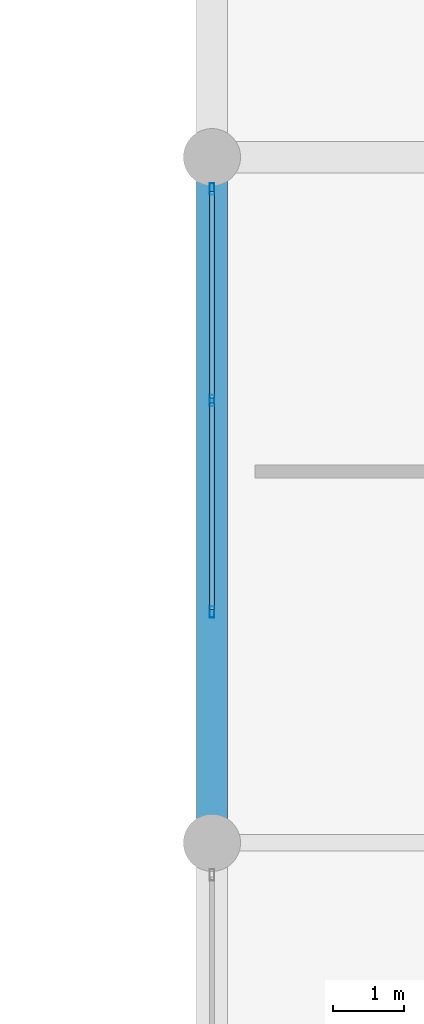
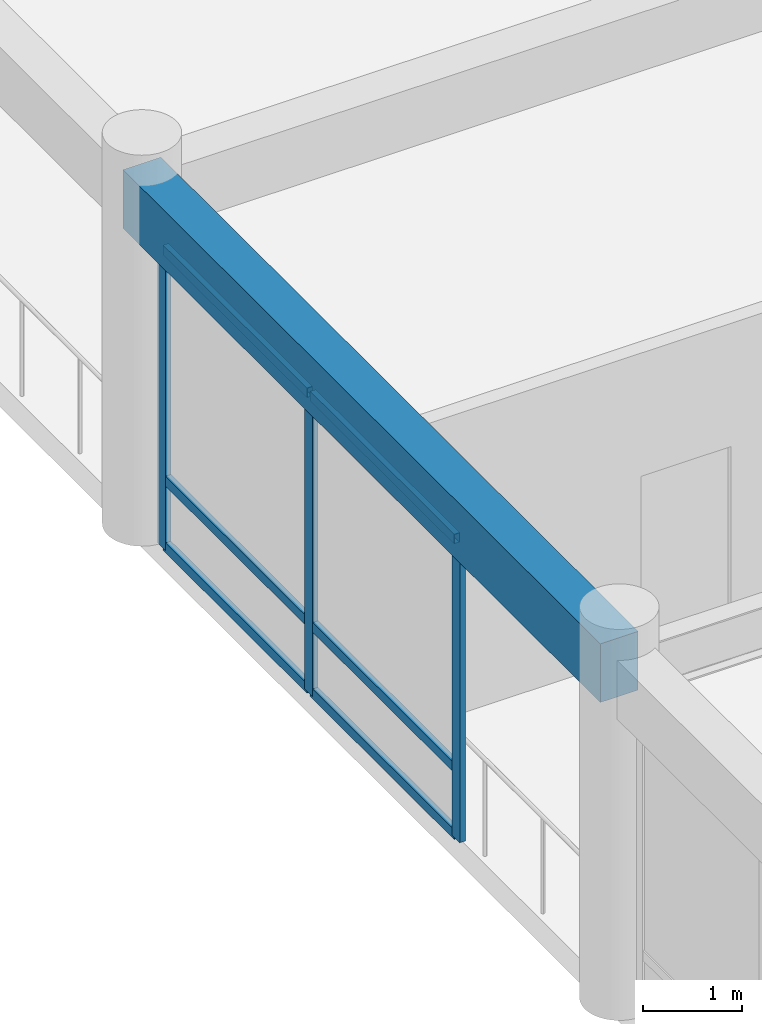
# One storey, part 41 of 133: 9 members, 1 beam, 1 element without a shape of its own.
"""IFC4 building model written with IfcOpenShell, lengths in metres."""

from ifc_helpers import new_model, si_unit, direction, frame, origin, origin_2d, place, context, subcontext, project, spatial, rectangle, hollow_rectangle, extrude, material, layer, layer_set, material_profile, profile_set, type_object, element, aggregate, save


model = new_model("IFC4")

# Units and contexts
model_context = context("Model", 3, precision=1e-05, world=origin(), true_north=direction((0.0, 1.0)))
body_context = subcontext(model_context, "Body", "Model", "MODEL_VIEW")
ifc_project = project(units=[si_unit("LENGTHUNIT", "METRE"), si_unit("AREAUNIT", "SQUARE_METRE"), si_unit("VOLUMEUNIT", "CUBIC_METRE"), si_unit("PLANEANGLEUNIT", "RADIAN"), si_unit("MASSUNIT", "GRAM", prefix="KILO")], contexts=[model_context])

# Site, building, storey
site_placement = place(None, origin())
site = spatial("IfcSite", under=ifc_project, at=site_placement, CompositionType="ELEMENT")
building_placement = place(site_placement, origin())
building = spatial("IfcBuilding", under=site, at=building_placement, Name="Nakhvara Creek Congress Hotel", CompositionType="ELEMENT")
storey_placement = place(building_placement, frame((0.0, 0.0, 11.39990234375)))
storey = spatial("IfcBuildingStorey", under=building, at=storey_placement, Name="L02", CompositionType="ELEMENT", Elevation=11.39990234375)

# Beam
ifc_material_1 = material(Name="Concrete C40/50", Category="concrete")
ifc_material_profile_1 = material_profile(ifc_material_1, rectangle(XDim=0.43994140625, YDim=0.719970703125, at=origin_2d()), Name="RC-BM 440x720", Category="LoadBearing")
ifc_profile_set_1 = profile_set([ifc_material_profile_1], Name="Concrete C40/50")
beam_type = type_object("IfcBeamType", Name="BM-RC-440X720", PredefinedType="BEAM", material=ifc_profile_set_1)
beam_placement = place(storey_placement, frame((124.800048828125, 62.39990234375, 4.06005859375), z_axis=(0.0, 1.0, 0.0), x_axis=(-1.0, 0.0, 0.0)))
element("IfcBeam", 1, at=beam_placement, inside=storey, type_object=beam_type, Name="Beam B12-L02-1532", PredefinedType="BEAM", context=body_context, shape_type="SweptSolid", body=[
    extrude(rectangle(XDim=0.43994140625, YDim=0.719970703125, at=origin_2d()), origin(), (0.0, 0.0, 1.0), 9.60009765625),
])

# Curtain wall, members
ifc_material_2 = material(Name="Bronze-anodised aluminium AW-6063-T6 and double-silver low-E glass", Category="aluminium")
ifc_layer = layer(ifc_material_2, 0.199951171875)
ifc_layer_set = layer_set([ifc_layer], Name="Bronze-anodised aluminium AW-6063-T6 and double-silver low-E glass")
curtain_wall_type = type_object("IfcCurtainWallType", Name="CW-POD-STICK", PredefinedType="NOTDEFINED", material=ifc_layer_set)
curtain_wall_placement = place(storey_placement, origin())
curtain_wall = element("IfcCurtainWall", 2, at=curtain_wall_placement, inside=storey, type_object=curtain_wall_type, Name="Curtain Wall CW048", PredefinedType="NOTDEFINED")
ifc_material_3 = material(Name="Bronze-anodised aluminium AW-6063-T6", Category="aluminium")
ifc_material_profile_2 = material_profile(ifc_material_3, hollow_rectangle(XDim=0.06494140625, YDim=0.159912109375, WallThickness=0.00390625, at=origin_2d()), Name="ALU-MULL 65x160x4", Category="LoadBearing")
ifc_profile_set_2 = profile_set([ifc_material_profile_2], Name="Bronze-anodised aluminium AW-6063-T6")
member_type_1 = type_object("IfcMemberType", Name="CW-MULL-160", PredefinedType="MULLION", material=ifc_profile_set_2)
member_1_placement = place(storey_placement, frame((124.800048828125, 65.632568359375, 0.0), z_axis=(0.0, 0.0, 1.0), x_axis=(-1.0, 0.0, 0.0)))
member_1 = element("IfcMember", 3, at=member_1_placement, type_object=member_type_1, Name="CW048 mullion 1", PredefinedType="MULLION", context=body_context, shape_type="SweptSolid", body=[
    extrude(hollow_rectangle(XDim=0.06494140625, YDim=0.159912109375, WallThickness=0.00390625, at=origin_2d()), origin(), (0.0, 0.0, 1.0), 3.692138671875),
])
member_2_placement = place(storey_placement, frame((124.800048828125, 68.592529296875, 0.0), z_axis=(0.0, 0.0, 1.0), x_axis=(-1.0, 0.0, 0.0)))
member_2 = element("IfcMember", 4, at=member_2_placement, type_object=member_type_1, Name="CW048 mullion 2", PredefinedType="MULLION", context=body_context, shape_type="SweptSolid", body=[
    extrude(hollow_rectangle(XDim=0.06494140625, YDim=0.159912109375, WallThickness=0.00390625, at=origin_2d()), origin(), (0.0, 0.0, 1.0), 3.692138671875),
])
member_3_placement = place(storey_placement, frame((124.800048828125, 71.552490234375, 0.0), z_axis=(0.0, 0.0, 1.0), x_axis=(-1.0, 0.0, 0.0)))
member_3 = element("IfcMember", 5, at=member_3_placement, type_object=member_type_1, Name="CW048 mullion 3", PredefinedType="MULLION", context=body_context, shape_type="SweptSolid", body=[
    extrude(hollow_rectangle(XDim=0.06494140625, YDim=0.159912109375, WallThickness=0.00390625, at=origin_2d()), origin(), (0.0, 0.0, 1.0), 3.692138671875),
])
ifc_material_profile_3 = material_profile(ifc_material_3, hollow_rectangle(XDim=0.06494140625, YDim=0.1201171875, WallThickness=0.00390625, at=origin_2d()), Name="ALU-TRAN 65x120x4", Category="LoadBearing")
ifc_profile_set_3 = profile_set([ifc_material_profile_3], Name="Bronze-anodised aluminium AW-6063-T6")
member_type_2 = type_object("IfcMemberType", Name="CW-TRAN-120", PredefinedType="USERDEFINED", material=ifc_profile_set_3)
member_4_placement = place(storey_placement, frame((124.800048828125, 65.6650390625, 0.03271484375), z_axis=(0.0, 1.0, 0.0), x_axis=(-1.0, 0.0, 0.0)))
member_4 = element("IfcMember", 6, at=member_4_placement, type_object=member_type_2, Name="CW048 transom 1.1", ObjectType="TRANSOM", PredefinedType="USERDEFINED", context=body_context, shape_type="SweptSolid", body=[
    extrude(hollow_rectangle(XDim=0.06494140625, YDim=0.1201171875, WallThickness=0.00390625, at=origin_2d()), origin(), (0.0, 0.0, 1.0), 2.89501953125),
])
member_5_placement = place(storey_placement, frame((124.800048828125, 65.6650390625, 0.85009765625), z_axis=(0.0, 1.0, 0.0), x_axis=(-1.0, 0.0, 0.0)))
member_5 = element("IfcMember", 7, at=member_5_placement, type_object=member_type_2, Name="CW048 transom 1.2", ObjectType="TRANSOM", PredefinedType="USERDEFINED", context=body_context, shape_type="SweptSolid", body=[
    extrude(hollow_rectangle(XDim=0.06494140625, YDim=0.1201171875, WallThickness=0.00390625, at=origin_2d()), origin(), (0.0, 0.0, 1.0), 2.89501953125),
])
member_6_placement = place(storey_placement, frame((124.800048828125, 65.6650390625, 3.65966796875), z_axis=(0.0, 1.0, 0.0), x_axis=(-1.0, 0.0, 0.0)))
member_6 = element("IfcMember", 8, at=member_6_placement, type_object=member_type_2, Name="CW048 transom 1.3", ObjectType="TRANSOM", PredefinedType="USERDEFINED", context=body_context, shape_type="SweptSolid", body=[
    extrude(hollow_rectangle(XDim=0.06494140625, YDim=0.1201171875, WallThickness=0.00390625, at=origin_2d()), origin(), (0.0, 0.0, 1.0), 2.89501953125),
])
member_7_placement = place(storey_placement, frame((124.800048828125, 68.625, 0.03271484375), z_axis=(0.0, 1.0, 0.0), x_axis=(-1.0, 0.0, 0.0)))
member_7 = element("IfcMember", 9, at=member_7_placement, type_object=member_type_2, Name="CW048 transom 2.1", ObjectType="TRANSOM", PredefinedType="USERDEFINED", context=body_context, shape_type="SweptSolid", body=[
    extrude(hollow_rectangle(XDim=0.06494140625, YDim=0.1201171875, WallThickness=0.00390625, at=origin_2d()), origin(), (0.0, 0.0, 1.0), 2.89501953125),
])
member_8_placement = place(storey_placement, frame((124.800048828125, 68.625, 0.85009765625), z_axis=(0.0, 1.0, 0.0), x_axis=(-1.0, 0.0, 0.0)))
member_8 = element("IfcMember", 10, at=member_8_placement, type_object=member_type_2, Name="CW048 transom 2.2", ObjectType="TRANSOM", PredefinedType="USERDEFINED", context=body_context, shape_type="SweptSolid", body=[
    extrude(hollow_rectangle(XDim=0.06494140625, YDim=0.1201171875, WallThickness=0.00390625, at=origin_2d()), origin(), (0.0, 0.0, 1.0), 2.89501953125),
])
member_9_placement = place(storey_placement, frame((124.800048828125, 68.625, 3.65966796875), z_axis=(0.0, 1.0, 0.0), x_axis=(-1.0, 0.0, 0.0)))
member_9 = element("IfcMember", 11, at=member_9_placement, type_object=member_type_2, Name="CW048 transom 2.3", ObjectType="TRANSOM", PredefinedType="USERDEFINED", context=body_context, shape_type="SweptSolid", body=[
    extrude(hollow_rectangle(XDim=0.06494140625, YDim=0.1201171875, WallThickness=0.00390625, at=origin_2d()), origin(), (0.0, 0.0, 1.0), 2.89501953125),
])
aggregate(curtain_wall, [member_1, member_2, member_3, member_4, member_5, member_6, member_7, member_8, member_9])

save(model, "model.ifc")
